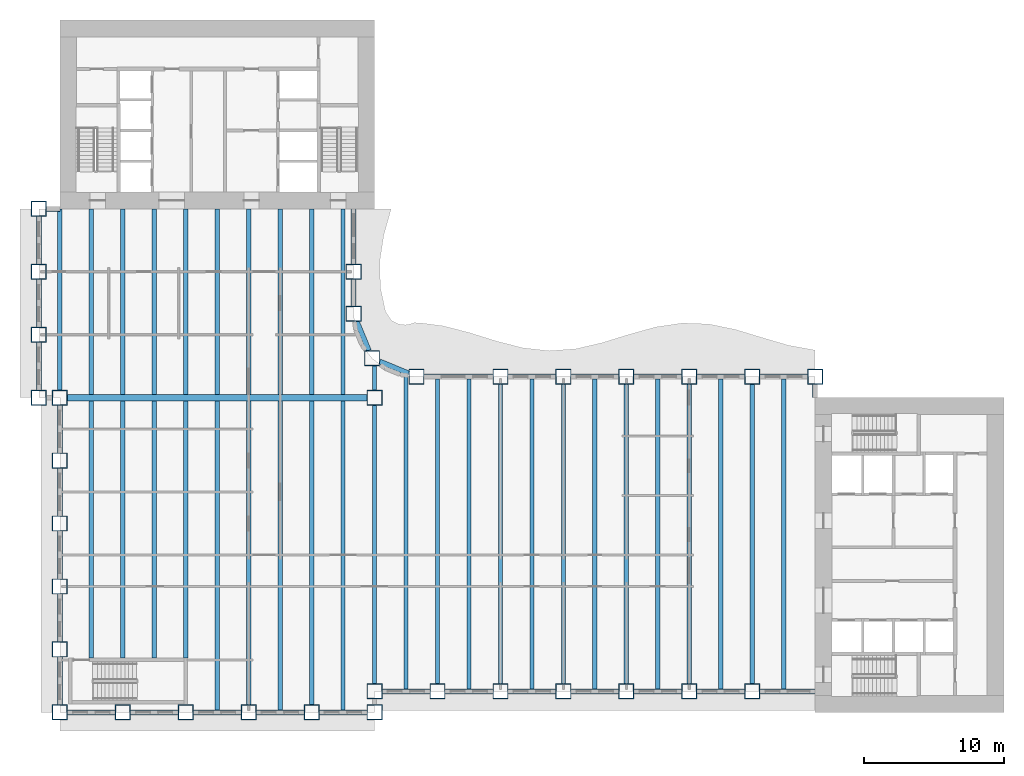
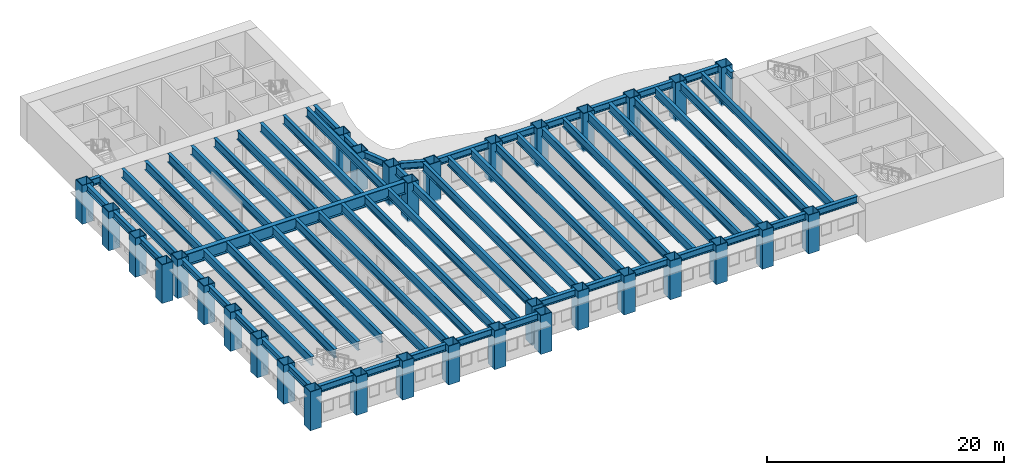
# One storey, part 1 of 15: 67 beams, 33 columns.
"""IFC4 building model written with IfcOpenShell, lengths in metres."""

from ifc_helpers import new_model, si_unit, direction, frame, origin, origin_2d, place, context, subcontext, project, spatial, hollow_rectangle, i_section, extrude, material, material_profile, profile_set, type_object, element, save


model = new_model("IFC4")

# Units and contexts
model_context = context("Model", 3, precision=1e-05, world=origin(), true_north=direction((0.0, 1.0)))
body_context = subcontext(model_context, "Body", "Model", "MODEL_VIEW")
ifc_project = project(units=[si_unit("LENGTHUNIT", "METRE"), si_unit("AREAUNIT", "SQUARE_METRE"), si_unit("VOLUMEUNIT", "CUBIC_METRE"), si_unit("PLANEANGLEUNIT", "RADIAN"), si_unit("MASSUNIT", "GRAM", prefix="KILO")], contexts=[model_context])

# Site, building, storey
site_placement = place(None, origin())
site = spatial("IfcSite", under=ifc_project, at=site_placement, CompositionType="ELEMENT")
building_placement = place(site_placement, origin())
building = spatial("IfcBuilding", under=site, at=building_placement, Name="Sennacour Bend Tower", CompositionType="ELEMENT")
storey_placement = place(building_placement, frame((0.0, 0.0, 65.0)))
storey = spatial("IfcBuildingStorey", under=building, at=storey_placement, Name="L14", CompositionType="ELEMENT", Elevation=65.0)

# Columns
ifc_material_1 = material(Name="Steel ASTM A572 Grade 50", Category="steel")
ifc_material_profile_1 = material_profile(ifc_material_1, hollow_rectangle(XDim=1.10009765625, YDim=1.10009765625, WallThickness=0.06005859375, at=origin_2d()), Name="Steel ASTM A572 Grade 50", Category="steel")
ifc_profile_set_1 = profile_set([ifc_material_profile_1], Name="Steel ASTM A572 Grade 50")
column_type = type_object("IfcColumnType", Name="Box column 1100", PredefinedType="COLUMN", material=ifc_profile_set_1)
for number, where, z_axis, x_axis, name in (
    (1, (-1.5, 22.5, -0.14990234375), (0.0, 0.0, 1.0), (1.0, 0.0, 0.0), "Perimeter column C1 L14-001"),
    (2, (-1.5, 27.0, -0.14990234375), (0.0, 0.0, 1.0), (1.0, 0.0, 0.0), "Perimeter column C1 L14-002"),
    (3, (-1.5, 31.5, -0.14990234375), (0.0, 0.0, 1.0), (1.0, 0.0, 0.0), "Perimeter column C1 L14-003"),
    (4, (-1.5, 36.0, -0.14990234375), (0.0, 0.0, 1.0), (1.0, 0.0, 0.0), "Perimeter column C1 L14-004"),
    (5, (0.0, 0.0, -0.14990234375), (0.0, 0.0, 1.0), (1.0, 0.0, 0.0), "Perimeter column C1 L14-005"),
    (6, (0.0, 4.5, -0.14990234375), (0.0, 0.0, 1.0), (1.0, 0.0, 0.0), "Perimeter column C1 L14-006"),
    (7, (0.0, 9.0, -0.14990234375), (0.0, 0.0, 1.0), (1.0, 0.0, 0.0), "Perimeter column C1 L14-007"),
    (8, (0.0, 13.5, -0.14990234375), (0.0, 0.0, 1.0), (1.0, 0.0, 0.0), "Perimeter column C1 L14-008"),
    (9, (0.0, 18.0, -0.14990234375), (0.0, 0.0, 1.0), (1.0, 0.0, 0.0), "Perimeter column C1 L14-009"),
    (10, (0.0, 22.5, -0.14990234375), (0.0, 0.0, 1.0), (1.0, 0.0, 0.0), "Perimeter column C1 L14-010"),
    (11, (4.5, 0.0, -0.14990234375), (0.0, 0.0, 1.0), (1.0, 0.0, 0.0), "Perimeter column C1 L14-011"),
    (12, (9.0, 0.0, -0.14990234375), (0.0, 0.0, 1.0), (1.0, 0.0, 0.0), "Perimeter column C1 L14-012"),
    (13, (13.5, 0.0, -0.14990234375), (0.0, 0.0, 1.0), (1.0, 0.0, 0.0), "Perimeter column C1 L14-013"),
    (14, (18.0, 0.0, -0.14990234375), (0.0, 0.0, 1.0), (1.0, 0.0, 0.0), "Perimeter column C1 L14-014"),
    (15, (21.0, 28.5, -0.14990234375), (0.0, 0.0, 1.0), (1.0, 0.0, 0.0), "Perimeter column C1 L14-015"),
    (16, (21.0, 31.5, -0.14990234375), (0.0, 0.0, 1.0), (1.0, 0.0, 0.0), "Perimeter column C1 L14-016"),
    (17, (22.318115234375, 25.318115234375, -0.14990234375), (0.0, 0.0, 1.0), (1.0, 0.0, 0.0), "Perimeter column C1 L14-017"),
    (18, (22.5, 0.0, -0.14990234375), (0.0, 0.0, 1.0), (1.0, 0.0, 0.0), "Perimeter column C1 L14-018"),
    (19, (22.5, 1.5, -0.14990234375), (0.0, 0.0, 1.0), (1.0, 0.0, 0.0), "Perimeter column C1 L14-019"),
    (20, (22.5, 22.5, -0.14990234375), (0.0, 0.0, 1.0), (1.0, 0.0, 0.0), "Knuckle column C1 L14-020"),
    (21, (25.5, 24.0, -0.14990234375), (0.0, 0.0, 1.0), (1.0, 0.0, 0.0), "Perimeter column C1 L14-021"),
    (22, (27.0, 1.5, -0.14990234375), (0.0, 0.0, 1.0), (1.0, 0.0, 0.0), "Perimeter column C1 L14-022"),
    (23, (31.5, 1.5, -0.14990234375), (0.0, 0.0, 1.0), (1.0, 0.0, 0.0), "Perimeter column C1 L14-023"),
    (24, (31.5, 24.0, -0.14990234375), (0.0, 0.0, 1.0), (1.0, 0.0, 0.0), "Perimeter column C1 L14-024"),
    (25, (36.0, 1.5, -0.14990234375), (0.0, 0.0, 1.0), (1.0, 0.0, 0.0), "Perimeter column C1 L14-025"),
    (26, (36.0, 24.0, -0.14990234375), (0.0, 0.0, 1.0), (1.0, 0.0, 0.0), "Perimeter column C1 L14-026"),
    (27, (40.5, 1.5, -0.14990234375), (0.0, 0.0, 1.0), (1.0, 0.0, 0.0), "Perimeter column C1 L14-027"),
    (28, (40.5, 24.0, -0.14990234375), (0.0, 0.0, 1.0), (1.0, 0.0, 0.0), "Perimeter column C1 L14-028"),
    (29, (45.0, 1.5, -0.14990234375), (0.0, 0.0, 1.0), (1.0, 0.0, 0.0), "Perimeter column C1 L14-029"),
    (30, (45.0, 24.0, -0.14990234375), (0.0, 0.0, 1.0), (1.0, 0.0, 0.0), "Perimeter column C1 L14-030"),
    (31, (49.5, 1.5, -0.14990234375), (0.0, 0.0, 1.0), (1.0, 0.0, 0.0), "Perimeter column C1 L14-031"),
    (32, (49.5, 24.0, -0.14990234375), (0.0, 0.0, 1.0), (1.0, 0.0, 0.0), "Perimeter column C1 L14-032"),
    (33, (54.0, 24.0, -0.14990234375), (0.0, 0.0, 1.0), (1.0, 0.0, 0.0), "Perimeter column C1 L14-033"),
):
    element("IfcColumn", number, at=place(storey_placement, frame(where, z_axis=z_axis, x_axis=x_axis)), inside=storey, type_object=column_type, Name=name, PredefinedType="COLUMN", context=body_context, shape_type="SweptSolid", body=[
        extrude(hollow_rectangle(XDim=1.10009765625, YDim=1.10009765625, WallThickness=0.06005859375, at=origin_2d()), origin(), (0.0, 0.0, 1.0), 4.0),
    ])

# Beams
ifc_material_2 = material(Name="Steel ASTM A992 Grade 50", Category="steel")
ifc_material_profile_2 = material_profile(ifc_material_2, i_section(OverallWidth=0.304931640625, OverallDepth=0.912109375, WebThickness=0.015869140625, FlangeThickness=0.02392578125, FilletRadius=0.01904296875, at=origin_2d()), Name="Steel ASTM A992 Grade 50", Category="steel")
ifc_profile_set_2 = profile_set([ifc_material_profile_2], Name="Steel ASTM A992 Grade 50")
beam_type_1 = type_object("IfcBeamType", Name="Floor beam W920X223", PredefinedType="BEAM", material=ifc_profile_set_2)
beam_1_placement = place(storey_placement, frame((0.0, 23.050048828125, 3.39404296875), z_axis=(0.0, 1.0, 0.0), x_axis=(-1.0, 0.0, 0.0)))
element("IfcBeam", 34, at=beam_1_placement, inside=storey, type_object=beam_type_1, Name="Floor beam FBM1 L15-001", PredefinedType="BEAM", context=body_context, shape_type="SweptSolid", body=[
    extrude(i_section(OverallWidth=0.304931640625, OverallDepth=0.912109375, WebThickness=0.015869140625, FlangeThickness=0.02392578125, FilletRadius=0.01904296875, at=origin_2d()), origin(), (0.0, 0.0, 1.0), 12.949951171875),
])
beam_2_placement = place(storey_placement, frame((2.25, 3.875, 3.39404296875), z_axis=(0.0, 1.0, 0.0), x_axis=(-1.0, 0.0, 0.0)))
element("IfcBeam", 35, at=beam_2_placement, inside=storey, type_object=beam_type_1, Name="Floor beam FBM1 L15-002", PredefinedType="BEAM", context=body_context, shape_type="SweptSolid", body=[
    extrude(i_section(OverallWidth=0.304931640625, OverallDepth=0.912109375, WebThickness=0.015869140625, FlangeThickness=0.02392578125, FilletRadius=0.01904296875, at=origin_2d()), origin(), (0.0, 0.0, 1.0), 18.39990234375),
])
beam_3_placement = place(storey_placement, frame((2.25, 22.72509765625, 3.39404296875), z_axis=(0.0, 1.0, 0.0), x_axis=(-1.0, 0.0, 0.0)))
element("IfcBeam", 36, at=beam_3_placement, inside=storey, type_object=beam_type_1, Name="Floor beam FBM1 L15-003", PredefinedType="BEAM", context=body_context, shape_type="SweptSolid", body=[
    extrude(i_section(OverallWidth=0.304931640625, OverallDepth=0.912109375, WebThickness=0.015869140625, FlangeThickness=0.02392578125, FilletRadius=0.01904296875, at=origin_2d()), origin(), (0.0, 0.0, 1.0), 13.27490234375),
])
beam_4_placement = place(storey_placement, frame((4.5, 3.875, 3.39404296875), z_axis=(0.0, 1.0, 0.0), x_axis=(-1.0, 0.0, 0.0)))
element("IfcBeam", 37, at=beam_4_placement, inside=storey, type_object=beam_type_1, Name="Floor beam FBM1 L15-004", PredefinedType="BEAM", context=body_context, shape_type="SweptSolid", body=[
    extrude(i_section(OverallWidth=0.304931640625, OverallDepth=0.912109375, WebThickness=0.015869140625, FlangeThickness=0.02392578125, FilletRadius=0.01904296875, at=origin_2d()), origin(), (0.0, 0.0, 1.0), 18.39990234375),
])
beam_5_placement = place(storey_placement, frame((4.5, 22.72509765625, 3.39404296875), z_axis=(0.0, 1.0, 0.0), x_axis=(-1.0, 0.0, 0.0)))
element("IfcBeam", 38, at=beam_5_placement, inside=storey, type_object=beam_type_1, Name="Floor beam FBM1 L15-005", PredefinedType="BEAM", context=body_context, shape_type="SweptSolid", body=[
    extrude(i_section(OverallWidth=0.304931640625, OverallDepth=0.912109375, WebThickness=0.015869140625, FlangeThickness=0.02392578125, FilletRadius=0.01904296875, at=origin_2d()), origin(), (0.0, 0.0, 1.0), 13.27490234375),
])
beam_6_placement = place(storey_placement, frame((6.75, 3.875, 3.39404296875), z_axis=(0.0, 1.0, 0.0), x_axis=(-1.0, 0.0, 0.0)))
element("IfcBeam", 39, at=beam_6_placement, inside=storey, type_object=beam_type_1, Name="Floor beam FBM1 L15-006", PredefinedType="BEAM", context=body_context, shape_type="SweptSolid", body=[
    extrude(i_section(OverallWidth=0.304931640625, OverallDepth=0.912109375, WebThickness=0.015869140625, FlangeThickness=0.02392578125, FilletRadius=0.01904296875, at=origin_2d()), origin(), (0.0, 0.0, 1.0), 18.39990234375),
])
beam_7_placement = place(storey_placement, frame((6.75, 22.72509765625, 3.39404296875), z_axis=(0.0, 1.0, 0.0), x_axis=(-1.0, 0.0, 0.0)))
element("IfcBeam", 40, at=beam_7_placement, inside=storey, type_object=beam_type_1, Name="Floor beam FBM1 L15-007", PredefinedType="BEAM", context=body_context, shape_type="SweptSolid", body=[
    extrude(i_section(OverallWidth=0.304931640625, OverallDepth=0.912109375, WebThickness=0.015869140625, FlangeThickness=0.02392578125, FilletRadius=0.01904296875, at=origin_2d()), origin(), (0.0, 0.0, 1.0), 13.27490234375),
])
beam_8_placement = place(storey_placement, frame((9.0, 3.875, 3.39404296875), z_axis=(0.0, 1.0, 0.0), x_axis=(-1.0, 0.0, 0.0)))
element("IfcBeam", 41, at=beam_8_placement, inside=storey, type_object=beam_type_1, Name="Floor beam FBM1 L15-008", PredefinedType="BEAM", context=body_context, shape_type="SweptSolid", body=[
    extrude(i_section(OverallWidth=0.304931640625, OverallDepth=0.912109375, WebThickness=0.015869140625, FlangeThickness=0.02392578125, FilletRadius=0.01904296875, at=origin_2d()), origin(), (0.0, 0.0, 1.0), 18.39990234375),
])
beam_9_placement = place(storey_placement, frame((9.0, 22.72509765625, 3.39404296875), z_axis=(0.0, 1.0, 0.0), x_axis=(-1.0, 0.0, 0.0)))
element("IfcBeam", 42, at=beam_9_placement, inside=storey, type_object=beam_type_1, Name="Floor beam FBM1 L15-009", PredefinedType="BEAM", context=body_context, shape_type="SweptSolid", body=[
    extrude(i_section(OverallWidth=0.304931640625, OverallDepth=0.912109375, WebThickness=0.015869140625, FlangeThickness=0.02392578125, FilletRadius=0.01904296875, at=origin_2d()), origin(), (0.0, 0.0, 1.0), 13.27490234375),
])
beam_10_placement = place(storey_placement, frame((11.25, 0.178955078125, 3.39404296875), z_axis=(0.0, 1.0, 0.0), x_axis=(-1.0, 0.0, 0.0)))
element("IfcBeam", 43, at=beam_10_placement, inside=storey, type_object=beam_type_1, Name="Floor beam FBM1 L15-010", PredefinedType="BEAM", context=body_context, shape_type="SweptSolid", body=[
    extrude(i_section(OverallWidth=0.304931640625, OverallDepth=0.912109375, WebThickness=0.015869140625, FlangeThickness=0.02392578125, FilletRadius=0.01904296875, at=origin_2d()), origin(), (0.0, 0.0, 1.0), 22.095947265625),
])
beam_11_placement = place(storey_placement, frame((11.25, 22.72509765625, 3.39404296875), z_axis=(0.0, 1.0, 0.0), x_axis=(-1.0, 0.0, 0.0)))
element("IfcBeam", 44, at=beam_11_placement, inside=storey, type_object=beam_type_1, Name="Floor beam FBM1 L15-011", PredefinedType="BEAM", context=body_context, shape_type="SweptSolid", body=[
    extrude(i_section(OverallWidth=0.304931640625, OverallDepth=0.912109375, WebThickness=0.015869140625, FlangeThickness=0.02392578125, FilletRadius=0.01904296875, at=origin_2d()), origin(), (0.0, 0.0, 1.0), 13.27490234375),
])
beam_12_placement = place(storey_placement, frame((13.5, 0.550048828125, 3.39404296875), z_axis=(0.0, 1.0, 0.0), x_axis=(-1.0, 0.0, 0.0)))
element("IfcBeam", 45, at=beam_12_placement, inside=storey, type_object=beam_type_1, Name="Floor beam FBM1 L15-012", PredefinedType="BEAM", context=body_context, shape_type="SweptSolid", body=[
    extrude(i_section(OverallWidth=0.304931640625, OverallDepth=0.912109375, WebThickness=0.015869140625, FlangeThickness=0.02392578125, FilletRadius=0.01904296875, at=origin_2d()), origin(), (0.0, 0.0, 1.0), 21.724853515625),
])
beam_13_placement = place(storey_placement, frame((13.5, 22.72509765625, 3.39404296875), z_axis=(0.0, 1.0, 0.0), x_axis=(-1.0, 0.0, 0.0)))
element("IfcBeam", 46, at=beam_13_placement, inside=storey, type_object=beam_type_1, Name="Floor beam FBM1 L15-013", PredefinedType="BEAM", context=body_context, shape_type="SweptSolid", body=[
    extrude(i_section(OverallWidth=0.304931640625, OverallDepth=0.912109375, WebThickness=0.015869140625, FlangeThickness=0.02392578125, FilletRadius=0.01904296875, at=origin_2d()), origin(), (0.0, 0.0, 1.0), 13.27490234375),
])
beam_14_placement = place(storey_placement, frame((15.75, 0.178955078125, 3.39404296875), z_axis=(0.0, 1.0, 0.0), x_axis=(-1.0, 0.0, 0.0)))
element("IfcBeam", 47, at=beam_14_placement, inside=storey, type_object=beam_type_1, Name="Floor beam FBM1 L15-014", PredefinedType="BEAM", context=body_context, shape_type="SweptSolid", body=[
    extrude(i_section(OverallWidth=0.304931640625, OverallDepth=0.912109375, WebThickness=0.015869140625, FlangeThickness=0.02392578125, FilletRadius=0.01904296875, at=origin_2d()), origin(), (0.0, 0.0, 1.0), 22.095947265625),
])
beam_15_placement = place(storey_placement, frame((15.75, 22.72509765625, 3.39404296875), z_axis=(0.0, 1.0, 0.0), x_axis=(-1.0, 0.0, 0.0)))
element("IfcBeam", 48, at=beam_15_placement, inside=storey, type_object=beam_type_1, Name="Floor beam FBM1 L15-015", PredefinedType="BEAM", context=body_context, shape_type="SweptSolid", body=[
    extrude(i_section(OverallWidth=0.304931640625, OverallDepth=0.912109375, WebThickness=0.015869140625, FlangeThickness=0.02392578125, FilletRadius=0.01904296875, at=origin_2d()), origin(), (0.0, 0.0, 1.0), 13.27490234375),
])
beam_16_placement = place(storey_placement, frame((18.0, 0.550048828125, 3.39404296875), z_axis=(0.0, 1.0, 0.0), x_axis=(-1.0, 0.0, 0.0)))
element("IfcBeam", 49, at=beam_16_placement, inside=storey, type_object=beam_type_1, Name="Floor beam FBM1 L15-016", PredefinedType="BEAM", context=body_context, shape_type="SweptSolid", body=[
    extrude(i_section(OverallWidth=0.304931640625, OverallDepth=0.912109375, WebThickness=0.015869140625, FlangeThickness=0.02392578125, FilletRadius=0.01904296875, at=origin_2d()), origin(), (0.0, 0.0, 1.0), 21.724853515625),
])
beam_17_placement = place(storey_placement, frame((18.0, 22.72509765625, 3.39404296875), z_axis=(0.0, 1.0, 0.0), x_axis=(-1.0, 0.0, 0.0)))
element("IfcBeam", 50, at=beam_17_placement, inside=storey, type_object=beam_type_1, Name="Floor beam FBM1 L15-017", PredefinedType="BEAM", context=body_context, shape_type="SweptSolid", body=[
    extrude(i_section(OverallWidth=0.304931640625, OverallDepth=0.912109375, WebThickness=0.015869140625, FlangeThickness=0.02392578125, FilletRadius=0.01904296875, at=origin_2d()), origin(), (0.0, 0.0, 1.0), 13.27490234375),
])
beam_18_placement = place(storey_placement, frame((20.25, 0.178955078125, 3.39404296875), z_axis=(0.0, 1.0, 0.0), x_axis=(-1.0, 0.0, 0.0)))
element("IfcBeam", 51, at=beam_18_placement, inside=storey, type_object=beam_type_1, Name="Floor beam FBM1 L15-018", PredefinedType="BEAM", context=body_context, shape_type="SweptSolid", body=[
    extrude(i_section(OverallWidth=0.304931640625, OverallDepth=0.912109375, WebThickness=0.015869140625, FlangeThickness=0.02392578125, FilletRadius=0.01904296875, at=origin_2d()), origin(), (0.0, 0.0, 1.0), 22.095947265625),
])
beam_19_placement = place(storey_placement, frame((20.25, 22.72509765625, 3.39404296875), z_axis=(0.0, 1.0, 0.0), x_axis=(-1.0, 0.0, 0.0)))
element("IfcBeam", 52, at=beam_19_placement, inside=storey, type_object=beam_type_1, Name="Floor beam FBM1 L15-019", PredefinedType="BEAM", context=body_context, shape_type="SweptSolid", body=[
    extrude(i_section(OverallWidth=0.304931640625, OverallDepth=0.912109375, WebThickness=0.015869140625, FlangeThickness=0.02392578125, FilletRadius=0.01904296875, at=origin_2d()), origin(), (0.0, 0.0, 1.0), 13.27490234375),
])
beam_20_placement = place(storey_placement, frame((22.5, 2.050048828125, 3.39404296875), z_axis=(0.0, 1.0, 0.0), x_axis=(-1.0, 0.0, 0.0)))
element("IfcBeam", 53, at=beam_20_placement, inside=storey, type_object=beam_type_1, Name="Floor beam FBM1 L15-020", PredefinedType="BEAM", context=body_context, shape_type="SweptSolid", body=[
    extrude(i_section(OverallWidth=0.304931640625, OverallDepth=0.912109375, WebThickness=0.015869140625, FlangeThickness=0.02392578125, FilletRadius=0.01904296875, at=origin_2d()), origin(), (0.0, 0.0, 1.0), 19.89990234375),
])
beam_21_placement = place(storey_placement, frame((22.5, 23.050048828125, 3.39404296875), z_axis=(0.0, 1.0, 0.0), x_axis=(-1.0, 0.0, 0.0)))
element("IfcBeam", 54, at=beam_21_placement, inside=storey, type_object=beam_type_1, Name="Floor beam FBM1 L15-021", PredefinedType="BEAM", context=body_context, shape_type="SweptSolid", body=[
    extrude(i_section(OverallWidth=0.304931640625, OverallDepth=0.912109375, WebThickness=0.015869140625, FlangeThickness=0.02392578125, FilletRadius=0.01904296875, at=origin_2d()), origin(), (0.0, 0.0, 1.0), 1.718017578125),
])
beam_22_placement = place(storey_placement, frame((24.75, 1.678955078125, 3.39404296875), z_axis=(0.0, 1.0, 0.0), x_axis=(-1.0, 0.0, 0.0)))
element("IfcBeam", 55, at=beam_22_placement, inside=storey, type_object=beam_type_1, Name="Floor beam FBM1 L15-022", PredefinedType="BEAM", context=body_context, shape_type="SweptSolid", body=[
    extrude(i_section(OverallWidth=0.304931640625, OverallDepth=0.912109375, WebThickness=0.015869140625, FlangeThickness=0.02392578125, FilletRadius=0.01904296875, at=origin_2d()), origin(), (0.0, 0.0, 1.0), 22.43798828125),
])
beam_23_placement = place(storey_placement, frame((27.0, 2.050048828125, 3.39404296875), z_axis=(0.0, 1.0, 0.0), x_axis=(-1.0, 0.0, 0.0)))
element("IfcBeam", 56, at=beam_23_placement, inside=storey, type_object=beam_type_1, Name="Floor beam FBM1 L15-023", PredefinedType="BEAM", context=body_context, shape_type="SweptSolid", body=[
    extrude(i_section(OverallWidth=0.304931640625, OverallDepth=0.912109375, WebThickness=0.015869140625, FlangeThickness=0.02392578125, FilletRadius=0.01904296875, at=origin_2d()), origin(), (0.0, 0.0, 1.0), 21.77099609375),
])
beam_24_placement = place(storey_placement, frame((29.25, 1.678955078125, 3.39404296875), z_axis=(0.0, 1.0, 0.0), x_axis=(-1.0, 0.0, 0.0)))
element("IfcBeam", 57, at=beam_24_placement, inside=storey, type_object=beam_type_1, Name="Floor beam FBM1 L15-024", PredefinedType="BEAM", context=body_context, shape_type="SweptSolid", body=[
    extrude(i_section(OverallWidth=0.304931640625, OverallDepth=0.912109375, WebThickness=0.015869140625, FlangeThickness=0.02392578125, FilletRadius=0.01904296875, at=origin_2d()), origin(), (0.0, 0.0, 1.0), 22.14208984375),
])
beam_25_placement = place(storey_placement, frame((31.5, 2.050048828125, 3.39404296875), z_axis=(0.0, 1.0, 0.0), x_axis=(-1.0, 0.0, 0.0)))
element("IfcBeam", 58, at=beam_25_placement, inside=storey, type_object=beam_type_1, Name="Floor beam FBM1 L15-025", PredefinedType="BEAM", context=body_context, shape_type="SweptSolid", body=[
    extrude(i_section(OverallWidth=0.304931640625, OverallDepth=0.912109375, WebThickness=0.015869140625, FlangeThickness=0.02392578125, FilletRadius=0.01904296875, at=origin_2d()), origin(), (0.0, 0.0, 1.0), 21.39990234375),
])
beam_26_placement = place(storey_placement, frame((33.75, 1.678955078125, 3.39404296875), z_axis=(0.0, 1.0, 0.0), x_axis=(-1.0, 0.0, 0.0)))
element("IfcBeam", 59, at=beam_26_placement, inside=storey, type_object=beam_type_1, Name="Floor beam FBM1 L15-026", PredefinedType="BEAM", context=body_context, shape_type="SweptSolid", body=[
    extrude(i_section(OverallWidth=0.304931640625, OverallDepth=0.912109375, WebThickness=0.015869140625, FlangeThickness=0.02392578125, FilletRadius=0.01904296875, at=origin_2d()), origin(), (0.0, 0.0, 1.0), 22.14208984375),
])
beam_27_placement = place(storey_placement, frame((36.0, 2.050048828125, 3.39404296875), z_axis=(0.0, 1.0, 0.0), x_axis=(-1.0, 0.0, 0.0)))
element("IfcBeam", 60, at=beam_27_placement, inside=storey, type_object=beam_type_1, Name="Floor beam FBM1 L15-027", PredefinedType="BEAM", context=body_context, shape_type="SweptSolid", body=[
    extrude(i_section(OverallWidth=0.304931640625, OverallDepth=0.912109375, WebThickness=0.015869140625, FlangeThickness=0.02392578125, FilletRadius=0.01904296875, at=origin_2d()), origin(), (0.0, 0.0, 1.0), 21.39990234375),
])
beam_28_placement = place(storey_placement, frame((38.25, 1.678955078125, 3.39404296875), z_axis=(0.0, 1.0, 0.0), x_axis=(-1.0, 0.0, 0.0)))
element("IfcBeam", 61, at=beam_28_placement, inside=storey, type_object=beam_type_1, Name="Floor beam FBM1 L15-028", PredefinedType="BEAM", context=body_context, shape_type="SweptSolid", body=[
    extrude(i_section(OverallWidth=0.304931640625, OverallDepth=0.912109375, WebThickness=0.015869140625, FlangeThickness=0.02392578125, FilletRadius=0.01904296875, at=origin_2d()), origin(), (0.0, 0.0, 1.0), 22.14208984375),
])
beam_29_placement = place(storey_placement, frame((40.5, 2.050048828125, 3.39404296875), z_axis=(0.0, 1.0, 0.0), x_axis=(-1.0, 0.0, 0.0)))
element("IfcBeam", 62, at=beam_29_placement, inside=storey, type_object=beam_type_1, Name="Floor beam FBM1 L15-029", PredefinedType="BEAM", context=body_context, shape_type="SweptSolid", body=[
    extrude(i_section(OverallWidth=0.304931640625, OverallDepth=0.912109375, WebThickness=0.015869140625, FlangeThickness=0.02392578125, FilletRadius=0.01904296875, at=origin_2d()), origin(), (0.0, 0.0, 1.0), 21.39990234375),
])
beam_30_placement = place(storey_placement, frame((42.75, 1.678955078125, 3.39404296875), z_axis=(0.0, 1.0, 0.0), x_axis=(-1.0, 0.0, 0.0)))
element("IfcBeam", 63, at=beam_30_placement, inside=storey, type_object=beam_type_1, Name="Floor beam FBM1 L15-030", PredefinedType="BEAM", context=body_context, shape_type="SweptSolid", body=[
    extrude(i_section(OverallWidth=0.304931640625, OverallDepth=0.912109375, WebThickness=0.015869140625, FlangeThickness=0.02392578125, FilletRadius=0.01904296875, at=origin_2d()), origin(), (0.0, 0.0, 1.0), 22.14208984375),
])
beam_31_placement = place(storey_placement, frame((45.0, 2.050048828125, 3.39404296875), z_axis=(0.0, 1.0, 0.0), x_axis=(-1.0, 0.0, 0.0)))
element("IfcBeam", 64, at=beam_31_placement, inside=storey, type_object=beam_type_1, Name="Floor beam FBM1 L15-031", PredefinedType="BEAM", context=body_context, shape_type="SweptSolid", body=[
    extrude(i_section(OverallWidth=0.304931640625, OverallDepth=0.912109375, WebThickness=0.015869140625, FlangeThickness=0.02392578125, FilletRadius=0.01904296875, at=origin_2d()), origin(), (0.0, 0.0, 1.0), 21.39990234375),
])
beam_32_placement = place(storey_placement, frame((47.25, 1.678955078125, 3.39404296875), z_axis=(0.0, 1.0, 0.0), x_axis=(-1.0, 0.0, 0.0)))
element("IfcBeam", 65, at=beam_32_placement, inside=storey, type_object=beam_type_1, Name="Floor beam FBM1 L15-032", PredefinedType="BEAM", context=body_context, shape_type="SweptSolid", body=[
    extrude(i_section(OverallWidth=0.304931640625, OverallDepth=0.912109375, WebThickness=0.015869140625, FlangeThickness=0.02392578125, FilletRadius=0.01904296875, at=origin_2d()), origin(), (0.0, 0.0, 1.0), 22.14208984375),
])
beam_33_placement = place(storey_placement, frame((49.5, 2.050048828125, 3.39404296875), z_axis=(0.0, 1.0, 0.0), x_axis=(-1.0, 0.0, 0.0)))
element("IfcBeam", 66, at=beam_33_placement, inside=storey, type_object=beam_type_1, Name="Floor beam FBM1 L15-033", PredefinedType="BEAM", context=body_context, shape_type="SweptSolid", body=[
    extrude(i_section(OverallWidth=0.304931640625, OverallDepth=0.912109375, WebThickness=0.015869140625, FlangeThickness=0.02392578125, FilletRadius=0.01904296875, at=origin_2d()), origin(), (0.0, 0.0, 1.0), 21.39990234375),
])
beam_34_placement = place(storey_placement, frame((51.75, 1.678955078125, 3.39404296875), z_axis=(0.0, 1.0, 0.0), x_axis=(-1.0, 0.0, 0.0)))
element("IfcBeam", 67, at=beam_34_placement, inside=storey, type_object=beam_type_1, Name="Floor beam FBM1 L15-034", PredefinedType="BEAM", context=body_context, shape_type="SweptSolid", body=[
    extrude(i_section(OverallWidth=0.304931640625, OverallDepth=0.912109375, WebThickness=0.015869140625, FlangeThickness=0.02392578125, FilletRadius=0.01904296875, at=origin_2d()), origin(), (0.0, 0.0, 1.0), 22.14208984375),
])
ifc_material_profile_3 = material_profile(ifc_material_1, i_section(OverallWidth=0.449951171875, OverallDepth=1.25, WebThickness=0.028076171875, FlangeThickness=0.050048828125, at=origin_2d()), Name="Steel ASTM A572 Grade 50", Category="steel")
ifc_profile_set_3 = profile_set([ifc_material_profile_3], Name="Steel ASTM A572 Grade 50")
beam_type_2 = type_object("IfcBeamType", Name="Knuckle girder 1250", PredefinedType="USERDEFINED", material=ifc_profile_set_3)
beam_35_placement = place(storey_placement, frame((0.550048828125, 22.5, 3.22509765625), z_axis=(1.0, 0.0, 0.0), x_axis=(0.0, 1.0, 0.0)))
element("IfcBeam", 68, at=beam_35_placement, inside=storey, type_object=beam_type_2, Name="Knuckle girder GK L15-001", ObjectType="KNUCKLE GIRDER", PredefinedType="USERDEFINED", context=body_context, shape_type="SweptSolid", body=[
    extrude(i_section(OverallWidth=0.449951171875, OverallDepth=1.25, WebThickness=0.028076171875, FlangeThickness=0.050048828125, at=origin_2d()), origin(), (0.0, 0.0, 1.0), 21.39990234375),
])
ifc_material_profile_4 = material_profile(ifc_material_2, i_section(OverallWidth=0.35791015625, OverallDepth=0.7060546875, WebThickness=0.018310546875, FlangeThickness=0.0302734375, FilletRadius=0.02001953125, at=origin_2d()), Name="Steel ASTM A992 Grade 50", Category="steel")
ifc_profile_set_4 = profile_set([ifc_material_profile_4], Name="Steel ASTM A992 Grade 50")
beam_type_3 = type_object("IfcBeamType", Name="Spandrel beam W690X265", PredefinedType="SPANDREL", material=ifc_profile_set_4)
for number, where, z_axis, x_axis, name in (
    (69, (0.0, 0.550048828125, 3.4970703125), (0.0, 1.0, 0.0), (-1.0, 0.0, 0.0), "Spandrel beam SP2 L15-001"),
    (70, (0.0, 5.050048828125, 3.4970703125), (0.0, 1.0, 0.0), (-1.0, 0.0, 0.0), "Spandrel beam SP2 L15-002"),
    (71, (0.0, 9.550048828125, 3.4970703125), (0.0, 1.0, 0.0), (-1.0, 0.0, 0.0), "Spandrel beam SP2 L15-003"),
    (72, (0.0, 14.050048828125, 3.4970703125), (0.0, 1.0, 0.0), (-1.0, 0.0, 0.0), "Spandrel beam SP2 L15-004"),
    (73, (0.0, 18.550048828125, 3.4970703125), (0.0, 1.0, 0.0), (-1.0, 0.0, 0.0), "Spandrel beam SP2 L15-005"),
    (74, (-1.5, 23.050048828125, 3.4970703125), (0.0, 1.0, 0.0), (-1.0, 0.0, 0.0), "Spandrel beam SP2 L15-006"),
    (75, (-1.5, 27.550048828125, 3.4970703125), (0.0, 1.0, 0.0), (-1.0, 0.0, 0.0), "Spandrel beam SP2 L15-007"),
    (76, (-1.5, 32.050048828125, 3.4970703125), (0.0, 1.0, 0.0), (-1.0, 0.0, 0.0), "Spandrel beam SP2 L15-008"),
):
    element("IfcBeam", number, at=place(storey_placement, frame(where, z_axis=z_axis, x_axis=x_axis)), inside=storey, type_object=beam_type_3, Name=name, PredefinedType="SPANDREL", context=body_context, shape_type="SweptSolid", body=[
        extrude(i_section(OverallWidth=0.35791015625, OverallDepth=0.7060546875, WebThickness=0.018310546875, FlangeThickness=0.0302734375, FilletRadius=0.02001953125, at=origin_2d()), origin(), (0.0, 0.0, 1.0), 3.39990234375),
    ])
beam_36_placement = place(storey_placement, frame((-0.949951171875, 36.0, 3.4970703125), z_axis=(1.0, 0.0, 0.0), x_axis=(0.0, 1.0, 0.0)))
element("IfcBeam", 77, at=beam_36_placement, inside=storey, type_object=beam_type_3, Name="Spandrel beam SP2 L15-009", PredefinedType="SPANDREL", context=body_context, shape_type="SweptSolid", body=[
    extrude(i_section(OverallWidth=0.35791015625, OverallDepth=0.7060546875, WebThickness=0.018310546875, FlangeThickness=0.0302734375, FilletRadius=0.02001953125, at=origin_2d()), origin(), (0.0, 0.0, 1.0), 0.949951171875),
])
beam_37_placement = place(storey_placement, frame((21.0, 36.0, 3.4970703125), z_axis=(0.0, -1.0, 0.0), x_axis=(1.0, 0.0, 0.0)))
element("IfcBeam", 78, at=beam_37_placement, inside=storey, type_object=beam_type_3, Name="Spandrel beam SP2 L15-010", PredefinedType="SPANDREL", context=body_context, shape_type="SweptSolid", body=[
    extrude(i_section(OverallWidth=0.35791015625, OverallDepth=0.7060546875, WebThickness=0.018310546875, FlangeThickness=0.0302734375, FilletRadius=0.02001953125, at=origin_2d()), origin(), (0.0, 0.0, 1.0), 3.949951171875),
])
beam_38_placement = place(storey_placement, frame((21.0, 30.949951171875, 3.4970703125), z_axis=(0.0, -1.0, 0.0), x_axis=(1.0, 0.0, 0.0)))
element("IfcBeam", 79, at=beam_38_placement, inside=storey, type_object=beam_type_3, Name="Spandrel beam SP2 L15-011", PredefinedType="SPANDREL", context=body_context, shape_type="SweptSolid", body=[
    extrude(i_section(OverallWidth=0.35791015625, OverallDepth=0.7060546875, WebThickness=0.018310546875, FlangeThickness=0.0302734375, FilletRadius=0.02001953125, at=origin_2d()), origin(), (0.0, 0.0, 1.0), 1.89990234375),
])
for number, where, z_axis, x_axis, name in (
    (80, (21.227783203125, 27.949951171875, 3.4970703125), (0.382645217415, -0.923895360736, 0.0), (0.923895360736, 0.382645217415, 0.0), "Spandrel beam SP2 L15-012"),
    (81, (22.867919921875, 25.090087890625, 3.4970703125), (0.923895360736, -0.382645217415, 0.0), (0.382645217415, 0.923895360736, 0.0), "Spandrel beam SP2 L15-013"),
):
    element("IfcBeam", number, at=place(storey_placement, frame(where, z_axis=z_axis, x_axis=x_axis)), inside=storey, type_object=beam_type_3, Name=name, PredefinedType="SPANDREL", context=body_context, shape_type="SweptSolid", body=[
        extrude(i_section(OverallWidth=0.35791015625, OverallDepth=0.7060546875, WebThickness=0.018310546875, FlangeThickness=0.0302734375, FilletRadius=0.02001953125, at=origin_2d()), origin(), (0.0, 0.0, 1.0), 2.25341796875),
    ])
beam_39_placement = place(storey_placement, frame((26.050048828125, 24.0, 3.4970703125), z_axis=(1.0, 0.0, 0.0), x_axis=(0.0, 1.0, 0.0)))
element("IfcBeam", 82, at=beam_39_placement, inside=storey, type_object=beam_type_3, Name="Spandrel beam SP2 L15-014", PredefinedType="SPANDREL", context=body_context, shape_type="SweptSolid", body=[
    extrude(i_section(OverallWidth=0.35791015625, OverallDepth=0.7060546875, WebThickness=0.018310546875, FlangeThickness=0.0302734375, FilletRadius=0.02001953125, at=origin_2d()), origin(), (0.0, 0.0, 1.0), 4.89990234375),
])
for number, where, z_axis, x_axis, name in (
    (83, (32.050048828125, 24.0, 3.4970703125), (1.0, 0.0, 0.0), (0.0, 1.0, 0.0), "Spandrel beam SP2 L15-015"),
    (84, (36.550048828125, 24.0, 3.4970703125), (1.0, 0.0, 0.0), (0.0, 1.0, 0.0), "Spandrel beam SP2 L15-016"),
    (85, (41.050048828125, 24.0, 3.4970703125), (1.0, 0.0, 0.0), (0.0, 1.0, 0.0), "Spandrel beam SP2 L15-017"),
    (86, (45.550048828125, 24.0, 3.4970703125), (1.0, 0.0, 0.0), (0.0, 1.0, 0.0), "Spandrel beam SP2 L15-018"),
    (87, (50.050048828125, 24.0, 3.4970703125), (1.0, 0.0, 0.0), (0.0, 1.0, 0.0), "Spandrel beam SP2 L15-019"),
):
    element("IfcBeam", number, at=place(storey_placement, frame(where, z_axis=z_axis, x_axis=x_axis)), inside=storey, type_object=beam_type_3, Name=name, PredefinedType="SPANDREL", context=body_context, shape_type="SweptSolid", body=[
        extrude(i_section(OverallWidth=0.35791015625, OverallDepth=0.7060546875, WebThickness=0.018310546875, FlangeThickness=0.0302734375, FilletRadius=0.02001953125, at=origin_2d()), origin(), (0.0, 0.0, 1.0), 3.39990234375),
    ])
beam_40_placement = place(storey_placement, frame((54.0, 23.449951171875, 3.4970703125), z_axis=(0.0, -1.0, 0.0), x_axis=(1.0, 0.0, 0.0)))
element("IfcBeam", 88, at=beam_40_placement, inside=storey, type_object=beam_type_3, Name="Spandrel beam SP2 L15-020", PredefinedType="SPANDREL", context=body_context, shape_type="SweptSolid", body=[
    extrude(i_section(OverallWidth=0.35791015625, OverallDepth=0.7060546875, WebThickness=0.018310546875, FlangeThickness=0.0302734375, FilletRadius=0.02001953125, at=origin_2d()), origin(), (0.0, 0.0, 1.0), 0.949951171875),
])
beam_41_placement = place(storey_placement, frame((54.0, 1.5, 3.4970703125), z_axis=(-1.0, 0.0, 0.0), x_axis=(0.0, -1.0, 0.0)))
element("IfcBeam", 89, at=beam_41_placement, inside=storey, type_object=beam_type_3, Name="Spandrel beam SP2 L15-021", PredefinedType="SPANDREL", context=body_context, shape_type="SweptSolid", body=[
    extrude(i_section(OverallWidth=0.35791015625, OverallDepth=0.7060546875, WebThickness=0.018310546875, FlangeThickness=0.0302734375, FilletRadius=0.02001953125, at=origin_2d()), origin(), (0.0, 0.0, 1.0), 3.949951171875),
])
for number, where, z_axis, x_axis, name in (
    (90, (48.949951171875, 1.5, 3.4970703125), (-1.0, 0.0, 0.0), (0.0, -1.0, 0.0), "Spandrel beam SP2 L15-022"),
    (91, (44.449951171875, 1.5, 3.4970703125), (-1.0, 0.0, 0.0), (0.0, -1.0, 0.0), "Spandrel beam SP2 L15-023"),
    (92, (39.949951171875, 1.5, 3.4970703125), (-1.0, 0.0, 0.0), (0.0, -1.0, 0.0), "Spandrel beam SP2 L15-024"),
    (93, (35.449951171875, 1.5, 3.4970703125), (-1.0, 0.0, 0.0), (0.0, -1.0, 0.0), "Spandrel beam SP2 L15-025"),
    (94, (30.949951171875, 1.5, 3.4970703125), (-1.0, 0.0, 0.0), (0.0, -1.0, 0.0), "Spandrel beam SP2 L15-026"),
    (95, (26.449951171875, 1.5, 3.4970703125), (-1.0, 0.0, 0.0), (0.0, -1.0, 0.0), "Spandrel beam SP2 L15-027"),
    (96, (21.949951171875, 0.0, 3.4970703125), (-1.0, 0.0, 0.0), (0.0, -1.0, 0.0), "Spandrel beam SP2 L15-028"),
    (97, (17.449951171875, 0.0, 3.4970703125), (-1.0, 0.0, 0.0), (0.0, -1.0, 0.0), "Spandrel beam SP2 L15-029"),
    (98, (12.949951171875, 0.0, 3.4970703125), (-1.0, 0.0, 0.0), (0.0, -1.0, 0.0), "Spandrel beam SP2 L15-030"),
    (99, (8.449951171875, 0.0, 3.4970703125), (-1.0, 0.0, 0.0), (0.0, -1.0, 0.0), "Spandrel beam SP2 L15-031"),
    (100, (3.949951171875, 0.0, 3.4970703125), (-1.0, 0.0, 0.0), (0.0, -1.0, 0.0), "Spandrel beam SP2 L15-032"),
):
    element("IfcBeam", number, at=place(storey_placement, frame(where, z_axis=z_axis, x_axis=x_axis)), inside=storey, type_object=beam_type_3, Name=name, PredefinedType="SPANDREL", context=body_context, shape_type="SweptSolid", body=[
        extrude(i_section(OverallWidth=0.35791015625, OverallDepth=0.7060546875, WebThickness=0.018310546875, FlangeThickness=0.0302734375, FilletRadius=0.02001953125, at=origin_2d()), origin(), (0.0, 0.0, 1.0), 3.39990234375),
    ])

save(model, "model.ifc")
